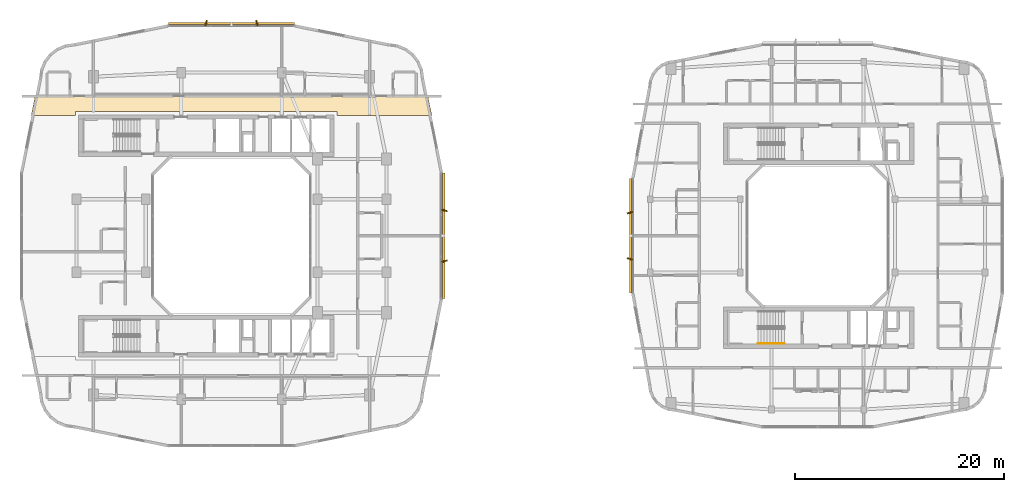
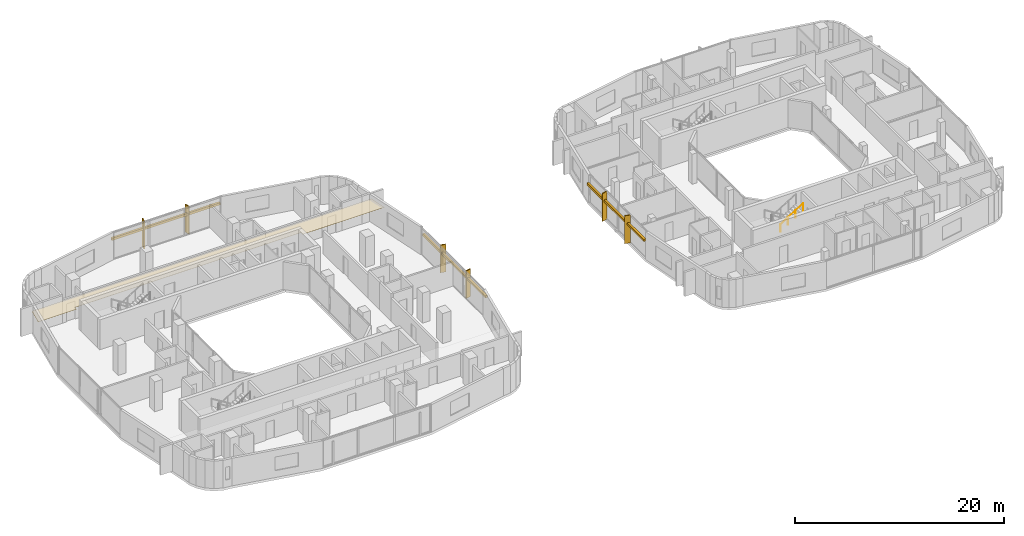
# One storey, part 25 of 26: 9 shading devices, 1 covering, 1 railing.
"""IFC4 building model written with IfcOpenShell, lengths in metres."""

from ifc_helpers import new_model, si_unit, derived_unit, direction, frame, origin, origin_2d, place, context, subcontext, project, spatial, polyline, rectangle, circle, outline, extrude, material, layer, layer_set, type_object, element, save


model = new_model("IFC4")

# Units and contexts
model_context = context("Model", 3, precision=1e-05, world=origin(), true_north=direction((0.0, 1.0)))
body_context = subcontext(model_context, "Body", "Model", "MODEL_VIEW")
ifc_project = project(units=[si_unit("LENGTHUNIT", "METRE"), si_unit("AREAUNIT", "SQUARE_METRE"), si_unit("VOLUMEUNIT", "CUBIC_METRE"), si_unit("PLANEANGLEUNIT", "RADIAN"), si_unit("MASSUNIT", "GRAM", prefix="KILO"), derived_unit("THERMALTRANSMITTANCEUNIT", [(si_unit("POWERUNIT", "WATT"), 1), (si_unit("LENGTHUNIT", "METRE"), -2), (si_unit("THERMODYNAMICTEMPERATUREUNIT", "KELVIN"), -1)])], contexts=[model_context])

# Site, building, storey
site_placement = place(None, origin())
site = spatial("IfcSite", under=ifc_project, at=site_placement, CompositionType="ELEMENT")
building_placement = place(site_placement, origin())
building = spatial("IfcBuilding", under=site, at=building_placement, Name="Kivonza Crest Hotel", CompositionType="ELEMENT")
storey_placement = place(building_placement, frame((0.0, 0.0, 127.5)))
storey = spatial("IfcBuildingStorey", under=building, at=storey_placement, Name="L34", CompositionType="ELEMENT", Elevation=127.5)

# Covering
ifc_material_1 = material(Name="Mineral-fibre acoustic ceiling tile", Category="gypsum")
ifc_layer = layer(ifc_material_1, 0.02490234375)
ifc_layer_set = layer_set([ifc_layer], Name="Mineral-fibre acoustic ceiling tile")
covering_type = type_object("IfcCoveringType", Name="CV-CEIL-ACOU", PredefinedType="CEILING", material=ifc_layer_set)
covering_placement = place(storey_placement, frame((0.0, 0.0, 2.449951171875)))
element("IfcCovering", 1, at=covering_placement, inside=storey, type_object=covering_type, Name="L34 Hotel North Guest Corridor suspended ceiling", PredefinedType="CEILING", context=body_context, shape_type="SweptSolid", body=[
    extrude(outline(polyline([(2.235107421875, 38.389892578125), (1.85791015625, 36.52001953125), (6.10009765625, 36.52001953125), (6.10009765625, 36.860107421875), (31.10009765625, 36.860107421875), (31.10009765625, 36.52001953125), (40.14208984375, 36.52001953125), (39.764892578125, 38.389892578125), (2.235107421875, 38.389892578125)])), origin(), (0.0, 0.0, 1.0), 0.025146484375),
])

# Railing
ifc_material_2 = material(Name="Brushed stainless steel handrail", Category="steel")
railing_type = type_object("IfcRailingType", Name="RL-HAND-900", PredefinedType="HANDRAIL", material=ifc_material_2)
railing_placement = place(storey_placement, frame((71.320068359375, 14.7099609375, 1.925048828125)))
element("IfcRailing", 2, at=railing_placement, inside=storey, type_object=railing_type, Name="L34 ST-T2-S stair handrail 2", PredefinedType="HANDRAIL", context=body_context, shape_type="SweptSolid", body=[
    extrude(circle(Radius=0.02392578125, at=origin_2d()), frame((0.0, 0.0, 0.8759765625), z_axis=(0.848007534815, 0.0, 0.529984170421), x_axis=(0.0, 1.0, 0.0)), (0.0, 0.0, 1.0), 2.9716796875),
    extrude(circle(Radius=0.02099609375, at=origin_2d()), origin(), (0.0, 0.0, 1.0), 0.851806640625),
    extrude(circle(Radius=0.02099609375, at=origin_2d()), frame((0.840087890625, 0.0, 0.52490234375)), (0.0, 0.0, 1.0), 0.851806640625),
    extrude(circle(Radius=0.02099609375, at=origin_2d()), frame((1.679931640625, 0.0, 1.050048828125)), (0.0, 0.0, 1.0), 0.851806640625),
    extrude(circle(Radius=0.02099609375, at=origin_2d()), frame((2.52001953125, 0.0, 1.574951171875)), (0.0, 0.0, 1.0), 0.851806640625),
])

# Shading devices
ifc_material_3 = material(Name="Kiln-fired Nairobi red-ochre terracotta", Category="masonry")
shading_device_type_1 = type_object("IfcShadingDeviceType", Name="SH-BAGUETTE-300", PredefinedType="USERDEFINED", material=ifc_material_3)
for number, where, z_axis, x_axis, name in (
    (3, (41.280029296875, 25.0, 2.1240234375), (0.0, 0.0, 1.0), (0.0, 1.0, 0.0), "L34 terracotta baguette screen CW-T1-L34-17"),
    (4, (21.0, 45.280029296875, 2.1240234375), (0.0, 0.0, 1.0), (-1.0, 0.0, 0.0), "L34 terracotta baguette screen CW-T1-L34-26"),
):
    element("IfcShadingDevice", number, at=place(storey_placement, frame(where, z_axis=z_axis, x_axis=x_axis)), inside=storey, type_object=shading_device_type_1, Name=name, ObjectType="BAGUETTE", PredefinedType="USERDEFINED", context=body_context, shape_type="SweptSolid", body=[
        extrude(rectangle(XDim=12.0, YDim=0.219970703125, at=origin_2d()), origin(), (0.0, 0.0, 1.0), 0.260009765625),
    ])
shading_device_placement = place(storey_placement, frame((59.1201171875, 25.0, 2.14501953125), z_axis=(0.0, 0.0, 1.0), x_axis=(0.0, -1.0, 0.0)))
element("IfcShadingDevice", 5, at=shading_device_placement, inside=storey, type_object=shading_device_type_1, Name="L34 terracotta baguette screen CW-T2-L34-35", ObjectType="BAGUETTE", PredefinedType="USERDEFINED", context=body_context, shape_type="SweptSolid", body=[
    extrude(rectangle(XDim=10.919921875, YDim=0.219970703125, at=origin_2d()), origin(), (0.0, 0.0, 1.0), 0.260009765625),
])
ifc_material_4 = material(Name="Kiln-fired terracotta over extruded aluminium spine", Category="masonry")
shading_device_type_2 = type_object("IfcShadingDeviceType", Name="SH-FIN-550", PredefinedType="USERDEFINED", material=ifc_material_4)
for number, where, z_axis, x_axis, name in (
    (6, (41.340087890625, 22.575927734375, 0.0), (0.0, 0.0, 1.0), (-0.2419218956, 0.970295726276, 0.0), "L34 vertical solar shading fin CW-T1-L34-17-1"),
    (7, (41.340087890625, 27.424072265625, 0.0), (0.0, 0.0, 1.0), (0.2419218956, 0.970295726276, 0.0), "L34 vertical solar shading fin CW-T1-L34-17-2"),
    (8, (23.424072265625, 45.340087890625, 0.0), (0.0, 0.0, 1.0), (-0.970295726276, -0.2419218956, 0.0), "L34 vertical solar shading fin CW-T1-L34-26-1"),
    (9, (18.575927734375, 45.340087890625, 0.0), (0.0, 0.0, 1.0), (-0.970295726276, 0.2419218956, 0.0), "L34 vertical solar shading fin CW-T1-L34-26-2"),
):
    element("IfcShadingDevice", number, at=place(storey_placement, frame(where, z_axis=z_axis, x_axis=x_axis)), inside=storey, type_object=shading_device_type_2, Name=name, ObjectType="FIN", PredefinedType="USERDEFINED", context=body_context, shape_type="SweptSolid", body=[
        extrude(rectangle(XDim=0.1201171875, YDim=0.550048828125, at=origin_2d()), origin(), (0.0, 0.0, 1.0), 3.219970703125),
    ])
for number, where, z_axis, x_axis, name in (
    (10, (59.06005859375, 27.2080078125, 0.0), (0.0, 0.0, 1.0), (0.2419218956, -0.970295726276, 0.0), "L34 vertical solar shading fin CW-T2-L34-35-1"),
    (11, (59.06005859375, 22.7919921875, 0.0), (0.0, 0.0, 1.0), (-0.2419218956, -0.970295726276, 0.0), "L34 vertical solar shading fin CW-T2-L34-35-2"),
):
    element("IfcShadingDevice", number, at=place(storey_placement, frame(where, z_axis=z_axis, x_axis=x_axis)), inside=storey, type_object=shading_device_type_2, Name=name, ObjectType="FIN", PredefinedType="USERDEFINED", context=body_context, shape_type="SweptSolid", body=[
        extrude(rectangle(XDim=0.1201171875, YDim=0.550048828125, at=origin_2d()), origin(), (0.0, 0.0, 1.0), 3.25),
    ])

save(model, "model.ifc")
